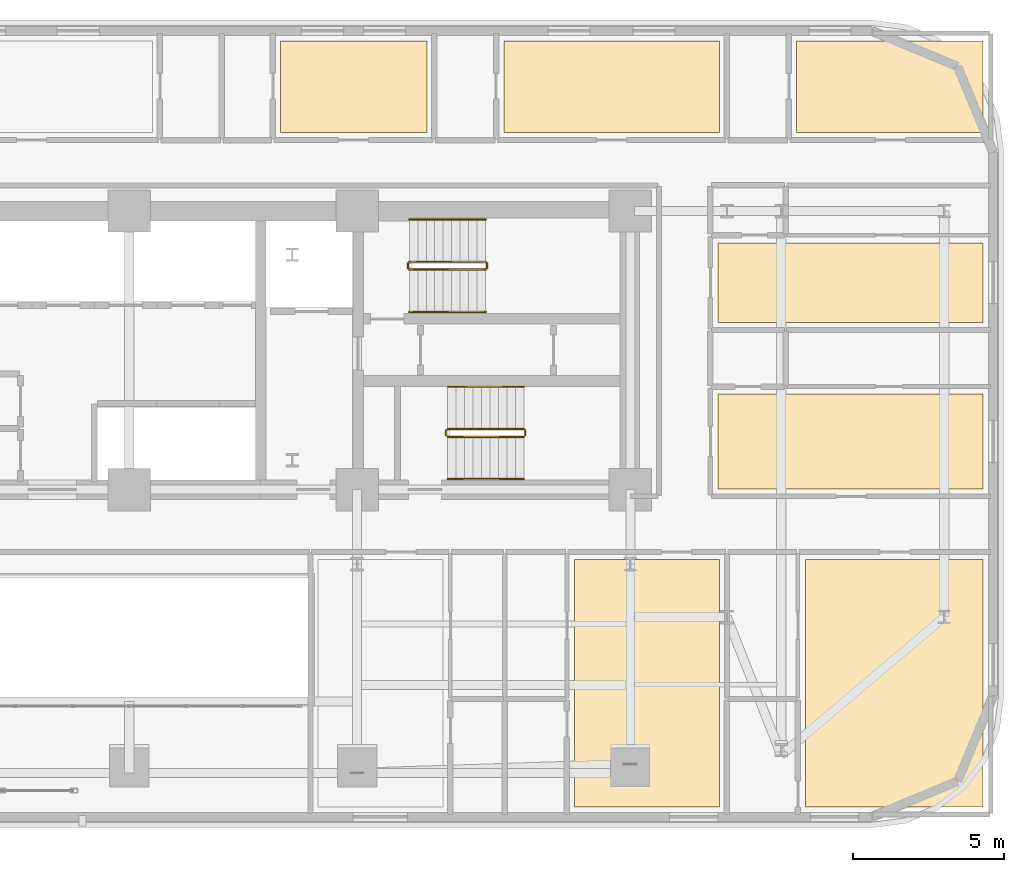
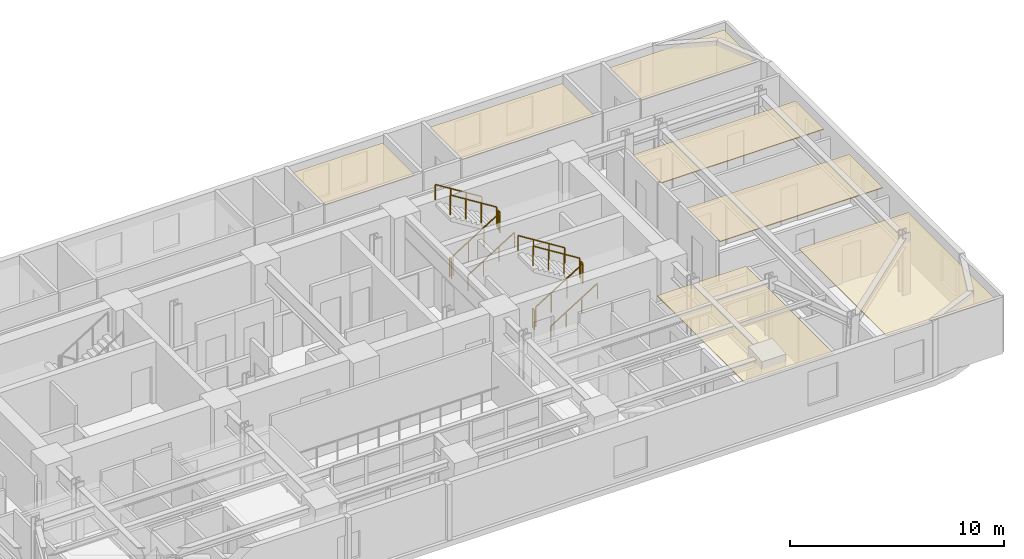
# One storey, part 16 of 16: 12 railings, 7 coverings.
"""IFC4 building model written with IfcOpenShell, lengths in metres."""

from ifc_helpers import new_model, si_unit, direction, frame, origin, origin_2d, place, context, subcontext, project, spatial, polyline, rectangle, outline, extrude, material, layer, layer_set, type_object, element, save


model = new_model("IFC4")

# Units and contexts
model_context = context("Model", 3, precision=1e-05, world=origin(), true_north=direction((0.0, 1.0)))
body_context = subcontext(model_context, "Body", "Model", "MODEL_VIEW")
ifc_project = project(units=[si_unit("LENGTHUNIT", "METRE"), si_unit("AREAUNIT", "SQUARE_METRE"), si_unit("VOLUMEUNIT", "CUBIC_METRE"), si_unit("PLANEANGLEUNIT", "RADIAN"), si_unit("MASSUNIT", "GRAM", prefix="KILO")], contexts=[model_context])

# Site, building, storey
site_placement = place(None, origin())
site = spatial("IfcSite", under=ifc_project, at=site_placement, CompositionType="ELEMENT")
building_placement = place(site_placement, origin())
building = spatial("IfcBuilding", under=site, at=building_placement, Name="Zarnavel Station Tower", CompositionType="ELEMENT")
storey_placement = place(building_placement, frame((0.0, 0.0, 82.800048828125)))
storey = spatial("IfcBuildingStorey", under=building, at=storey_placement, Name="L22", CompositionType="ELEMENT", Elevation=82.800048828125)

# Coverings
ifc_material_1 = material(Name="Perforated Gypsum and Mineral-Wool Acoustic Ceiling", Category="concrete")
ifc_layer = layer(ifc_material_1, 0.0400390625)
ifc_layer_set = layer_set([ifc_layer], Name="COV_CEIL_ACOUSTIC")
covering_type = type_object("IfcCoveringType", Name="COV_CEIL_ACOUSTIC", PredefinedType="CEILING", material=ifc_layer_set)
covering_1_placement = place(storey_placement, frame((0.0, 0.0, 2.919921875)))
element("IfcCovering", 1, at=covering_1_placement, inside=storey, type_object=covering_type, Name="L22 FNE1R Acoustic Ceiling", PredefinedType="CEILING", context=body_context, shape_type="SweptSolid", body=[
    extrude(outline(polyline([(48.300048828125, 27.85009765625), (57.090087890625, 27.85009765625), (57.090087890625, 30.986083984375), (48.300048828125, 30.986083984375), (48.300048828125, 27.85009765625)])), origin(), (0.0, 0.0, 1.0), 0.0400390625),
])
covering_2_placement = place(storey_placement, frame((0.0, 0.0, 2.919921875)))
element("IfcCovering", 2, at=covering_2_placement, inside=storey, type_object=covering_type, Name="L22 FNE2R Acoustic Ceiling", PredefinedType="CEILING", context=body_context, shape_type="SweptSolid", body=[
    extrude(outline(polyline([(48.300048828125, 33.35888671875), (57.090087890625, 33.35888671875), (57.090087890625, 36.0), (48.300048828125, 36.0), (48.300048828125, 33.35888671875)])), origin(), (0.0, 0.0, 1.0), 0.0400390625),
])
covering_3_placement = place(storey_placement, frame((0.0, 0.0, 2.919921875)))
element("IfcCovering", 3, at=covering_3_placement, inside=storey, type_object=covering_type, Name="L22 HN3R Acoustic Ceiling", PredefinedType="CEILING", context=body_context, shape_type="SweptSolid", body=[
    extrude(outline(polyline([(33.804931640625, 39.64990234375), (38.657958984375, 39.64990234375), (38.657958984375, 42.68994140625), (33.804931640625, 42.68994140625), (33.804931640625, 39.64990234375)])), origin(), (0.0, 0.0, 1.0), 0.0400390625),
])
covering_4_placement = place(storey_placement, frame((0.0, 0.0, 2.919921875)))
element("IfcCovering", 4, at=covering_4_placement, inside=storey, type_object=covering_type, Name="L22 HN4R Acoustic Ceiling", PredefinedType="CEILING", context=body_context, shape_type="SweptSolid", body=[
    extrude(outline(polyline([(41.2080078125, 39.64990234375), (48.35009765625, 39.64990234375), (48.35009765625, 42.68994140625), (41.2080078125, 42.68994140625), (41.2080078125, 39.64990234375)])), origin(), (0.0, 0.0, 1.0), 0.0400390625),
])
covering_5_placement = place(storey_placement, frame((0.0, 0.0, 2.919921875)))
element("IfcCovering", 5, at=covering_5_placement, inside=storey, type_object=covering_type, Name="L22 HN5R Acoustic Ceiling", PredefinedType="CEILING", context=body_context, shape_type="SweptSolid", body=[
    extrude(outline(polyline([(50.89990234375, 39.64990234375), (57.090087890625, 39.64990234375), (57.090087890625, 42.68994140625), (50.89990234375, 42.68994140625), (50.89990234375, 39.64990234375)])), origin(), (0.0, 0.0, 1.0), 0.0400390625),
])
covering_6_placement = place(storey_placement, frame((0.0, 0.0, 2.919921875)))
element("IfcCovering", 6, at=covering_6_placement, inside=storey, type_object=covering_type, Name="L22 HE2R Acoustic Ceiling", PredefinedType="CEILING", context=body_context, shape_type="SweptSolid", body=[
    extrude(outline(polyline([(43.551025390625, 17.31005859375), (48.35009765625, 17.31005859375), (48.35009765625, 25.5), (43.551025390625, 25.5), (43.551025390625, 17.31005859375)])), origin(), (0.0, 0.0, 1.0), 0.0400390625),
])
covering_7_placement = place(storey_placement, frame((0.0, 0.0, 2.919921875)))
element("IfcCovering", 7, at=covering_7_placement, inside=storey, type_object=covering_type, Name="L22 HE3R Acoustic Ceiling", PredefinedType="CEILING", context=body_context, shape_type="SweptSolid", body=[
    extrude(outline(polyline([(51.199951171875, 17.31005859375), (57.090087890625, 17.31005859375), (57.090087890625, 25.5), (51.199951171875, 25.5), (51.199951171875, 17.31005859375)])), origin(), (0.0, 0.0, 1.0), 0.0400390625),
])

# Railings
ifc_material_2 = material(Name="Painted Steel S355J2 Balustrade", Category="steel")
railing_type_1 = type_object("IfcRailingType", Name="GR_INT_1150", PredefinedType="GUARDRAIL", material=ifc_material_2)
railing_1_placement = place(storey_placement, frame((38.080078125, 35.110107421875, 0.175048828125)))
element("IfcRailing", 8, at=railing_1_placement, inside=storey, type_object=railing_type_1, Name="L22 ST2 stair guard 1", PredefinedType="GUARDRAIL", context=body_context, shape_type="SweptSolid", body=[
    extrude(rectangle(XDim=0.048095703125, YDim=0.048095703125, at=origin_2d()), frame((0.001708984375, 0.0, 1.126953125), z_axis=(0.848007534815, 0.0, 0.529984170421), x_axis=(0.0, 1.0, 0.0)), (0.0, 0.0, 1.0), 2.9677734375),
    extrude(rectangle(XDim=0.0419921875, YDim=0.0419921875, at=origin_2d()), origin(), (0.0, 0.0, 1.0), 1.101806640625),
    extrude(rectangle(XDim=0.0419921875, YDim=0.0419921875, at=origin_2d()), frame((0.840087890625, 0.0, 0.52490234375)), (0.0, 0.0, 1.0), 1.101806640625),
    extrude(rectangle(XDim=0.0419921875, YDim=0.0419921875, at=origin_2d()), frame((1.679931640625, 0.0, 1.050048828125)), (0.0, 0.0, 1.0), 1.101806640625),
    extrude(rectangle(XDim=0.0419921875, YDim=0.0419921875, at=origin_2d()), frame((2.52001953125, 0.0, 1.574951171875)), (0.0, 0.0, 1.0), 1.101806640625),
])
railing_2_placement = place(storey_placement, frame((40.64990234375, 35.159912109375, 1.75)))
element("IfcRailing", 9, at=railing_2_placement, inside=storey, type_object=railing_type_1, Name="L22 ST2 stair guard 2", PredefinedType="GUARDRAIL", context=body_context, shape_type="SweptSolid", body=[
    extrude(rectangle(XDim=0.048095703125, YDim=0.048095703125, at=origin_2d()), frame((0.0, 0.001953125, 1.1259765625), z_axis=(0.0, 1.0, 0.0), x_axis=(-1.0, 0.0, 0.0)), (0.0, 0.0, 1.0), 0.15625),
    extrude(rectangle(XDim=0.0419921875, YDim=0.0419921875, at=origin_2d()), origin(), (0.0, 0.0, 1.0), 1.101806640625),
    extrude(rectangle(XDim=0.0419921875, YDim=0.0419921875, at=origin_2d()), frame((0.0, 0.16015625, 0.0)), (0.0, 0.0, 1.0), 1.101806640625),
])
railing_3_placement = place(storey_placement, frame((40.60009765625, 35.3701171875, 1.925048828125)))
element("IfcRailing", 10, at=railing_3_placement, inside=storey, type_object=railing_type_1, Name="L22 ST2 stair guard 3", PredefinedType="GUARDRAIL", context=body_context, shape_type="SweptSolid", body=[
    extrude(rectangle(XDim=0.048095703125, YDim=0.048095703125, at=origin_2d()), frame((-0.001708984375, 0.0, 1.126953125), z_axis=(-0.848007534815, 0.0, 0.529984170421), x_axis=(0.0, -1.0, 0.0)), (0.0, 0.0, 1.0), 2.9677734375),
    extrude(rectangle(XDim=0.0419921875, YDim=0.0419921875, at=origin_2d()), origin(), (0.0, 0.0, 1.0), 1.101806640625),
    extrude(rectangle(XDim=0.0419921875, YDim=0.0419921875, at=origin_2d()), frame((-0.840087890625, 0.0, 0.52490234375)), (0.0, 0.0, 1.0), 1.101806640625),
    extrude(rectangle(XDim=0.0419921875, YDim=0.0419921875, at=origin_2d()), frame((-1.679931640625, 0.0, 1.050048828125)), (0.0, 0.0, 1.0), 1.101806640625),
    extrude(rectangle(XDim=0.0419921875, YDim=0.0419921875, at=origin_2d()), frame((-2.52001953125, 0.0, 1.574951171875)), (0.0, 0.0, 1.0), 1.101806640625),
])
railing_4_placement = place(storey_placement, frame((38.030029296875, 35.159912109375, 0.0)))
element("IfcRailing", 11, at=railing_4_placement, inside=storey, type_object=railing_type_1, Name="L22 ST2 stair guard 4", PredefinedType="GUARDRAIL", context=body_context, shape_type="SweptSolid", body=[
    extrude(rectangle(XDim=0.048095703125, YDim=0.048095703125, at=origin_2d()), frame((0.0, 0.001953125, 1.1259765625), z_axis=(0.0, 1.0, 0.0), x_axis=(-1.0, 0.0, 0.0)), (0.0, 0.0, 1.0), 0.15625),
    extrude(rectangle(XDim=0.0419921875, YDim=0.0419921875, at=origin_2d()), origin(), (0.0, 0.0, 1.0), 1.101806640625),
    extrude(rectangle(XDim=0.0419921875, YDim=0.0419921875, at=origin_2d()), frame((0.0, 0.16015625, 0.0)), (0.0, 0.0, 1.0), 1.101806640625),
])
railing_5_placement = place(storey_placement, frame((39.35009765625, 29.570068359375, 0.175048828125)))
element("IfcRailing", 12, at=railing_5_placement, inside=storey, type_object=railing_type_1, Name="L22 ST3 stair guard 1", PredefinedType="GUARDRAIL", context=body_context, shape_type="SweptSolid", body=[
    extrude(rectangle(XDim=0.048095703125, YDim=0.048095703125, at=origin_2d()), frame((0.001708984375, 0.0, 1.126953125), z_axis=(0.848007534815, 0.0, 0.529984170421), x_axis=(0.0, 1.0, 0.0)), (0.0, 0.0, 1.0), 2.9677734375),
    extrude(rectangle(XDim=0.0419921875, YDim=0.0419921875, at=origin_2d()), origin(), (0.0, 0.0, 1.0), 1.101806640625),
    extrude(rectangle(XDim=0.0419921875, YDim=0.0419921875, at=origin_2d()), frame((0.840087890625, 0.0, 0.52490234375)), (0.0, 0.0, 1.0), 1.101806640625),
    extrude(rectangle(XDim=0.0419921875, YDim=0.0419921875, at=origin_2d()), frame((1.679931640625, 0.0, 1.050048828125)), (0.0, 0.0, 1.0), 1.101806640625),
    extrude(rectangle(XDim=0.0419921875, YDim=0.0419921875, at=origin_2d()), frame((2.52001953125, 0.0, 1.574951171875)), (0.0, 0.0, 1.0), 1.101806640625),
])
railing_6_placement = place(storey_placement, frame((41.919921875, 29.6201171875, 1.75)))
element("IfcRailing", 13, at=railing_6_placement, inside=storey, type_object=railing_type_1, Name="L22 ST3 stair guard 2", PredefinedType="GUARDRAIL", context=body_context, shape_type="SweptSolid", body=[
    extrude(rectangle(XDim=0.048095703125, YDim=0.048095703125, at=origin_2d()), frame((0.0, 0.001953125, 1.1259765625), z_axis=(0.0, 1.0, 0.0), x_axis=(-1.0, 0.0, 0.0)), (0.0, 0.0, 1.0), 0.156005859375),
    extrude(rectangle(XDim=0.0419921875, YDim=0.0419921875, at=origin_2d()), origin(), (0.0, 0.0, 1.0), 1.101806640625),
    extrude(rectangle(XDim=0.0419921875, YDim=0.0419921875, at=origin_2d()), frame((0.0, 0.159912109375, 0.0)), (0.0, 0.0, 1.0), 1.101806640625),
])
railing_7_placement = place(storey_placement, frame((41.8701171875, 29.830078125, 1.925048828125)))
element("IfcRailing", 14, at=railing_7_placement, inside=storey, type_object=railing_type_1, Name="L22 ST3 stair guard 3", PredefinedType="GUARDRAIL", context=body_context, shape_type="SweptSolid", body=[
    extrude(rectangle(XDim=0.048095703125, YDim=0.048095703125, at=origin_2d()), frame((-0.001708984375, 0.0, 1.126953125), z_axis=(-0.848007534815, 0.0, 0.529984170421), x_axis=(0.0, -1.0, 0.0)), (0.0, 0.0, 1.0), 2.9677734375),
    extrude(rectangle(XDim=0.0419921875, YDim=0.0419921875, at=origin_2d()), origin(), (0.0, 0.0, 1.0), 1.101806640625),
    extrude(rectangle(XDim=0.0419921875, YDim=0.0419921875, at=origin_2d()), frame((-0.840087890625, 0.0, 0.52490234375)), (0.0, 0.0, 1.0), 1.101806640625),
    extrude(rectangle(XDim=0.0419921875, YDim=0.0419921875, at=origin_2d()), frame((-1.679931640625, 0.0, 1.050048828125)), (0.0, 0.0, 1.0), 1.101806640625),
    extrude(rectangle(XDim=0.0419921875, YDim=0.0419921875, at=origin_2d()), frame((-2.52001953125, 0.0, 1.574951171875)), (0.0, 0.0, 1.0), 1.101806640625),
])
railing_8_placement = place(storey_placement, frame((39.300048828125, 29.6201171875, 0.0)))
element("IfcRailing", 15, at=railing_8_placement, inside=storey, type_object=railing_type_1, Name="L22 ST3 stair guard 4", PredefinedType="GUARDRAIL", context=body_context, shape_type="SweptSolid", body=[
    extrude(rectangle(XDim=0.048095703125, YDim=0.048095703125, at=origin_2d()), frame((0.0, 0.001953125, 1.1259765625), z_axis=(0.0, 1.0, 0.0), x_axis=(-1.0, 0.0, 0.0)), (0.0, 0.0, 1.0), 0.156005859375),
    extrude(rectangle(XDim=0.0419921875, YDim=0.0419921875, at=origin_2d()), origin(), (0.0, 0.0, 1.0), 1.101806640625),
    extrude(rectangle(XDim=0.0419921875, YDim=0.0419921875, at=origin_2d()), frame((0.0, 0.159912109375, 0.0)), (0.0, 0.0, 1.0), 1.101806640625),
])
ifc_material_3 = material(Name="Brushed Stainless Steel S355J2 Handrail", Category="steel")
railing_type_2 = type_object("IfcRailingType", Name="HR_STAIR_900", PredefinedType="HANDRAIL", material=ifc_material_3)
railing_9_placement = place(storey_placement, frame((38.080078125, 33.7099609375, 0.175048828125)))
element("IfcRailing", 16, at=railing_9_placement, inside=storey, type_object=railing_type_2, Name="L22 ST2 stair handrail 1", PredefinedType="HANDRAIL", context=body_context, shape_type="SweptSolid", body=[
    extrude(rectangle(XDim=0.048095703125, YDim=0.048095703125, at=origin_2d()), frame((0.001708984375, 0.0, 0.876953125), z_axis=(0.848007534815, 0.0, 0.529984170421), x_axis=(0.0, 1.0, 0.0)), (0.0, 0.0, 1.0), 2.9677734375),
    extrude(rectangle(XDim=0.0419921875, YDim=0.0419921875, at=origin_2d()), origin(), (0.0, 0.0, 1.0), 0.851806640625),
    extrude(rectangle(XDim=0.0419921875, YDim=0.0419921875, at=origin_2d()), frame((0.840087890625, 0.0, 0.52490234375)), (0.0, 0.0, 1.0), 0.851806640625),
    extrude(rectangle(XDim=0.0419921875, YDim=0.0419921875, at=origin_2d()), frame((1.679931640625, 0.0, 1.050048828125)), (0.0, 0.0, 1.0), 0.851806640625),
    extrude(rectangle(XDim=0.0419921875, YDim=0.0419921875, at=origin_2d()), frame((2.52001953125, 0.0, 1.574951171875)), (0.0, 0.0, 1.0), 0.851806640625),
])
railing_10_placement = place(storey_placement, frame((40.60009765625, 36.77001953125, 1.925048828125)))
element("IfcRailing", 17, at=railing_10_placement, inside=storey, type_object=railing_type_2, Name="L22 ST2 stair handrail 2", PredefinedType="HANDRAIL", context=body_context, shape_type="SweptSolid", body=[
    extrude(rectangle(XDim=0.048095703125, YDim=0.048095703125, at=origin_2d()), frame((-0.001708984375, 0.0, 0.876953125), z_axis=(-0.848007534815, 0.0, 0.529984170421), x_axis=(0.0, -1.0, 0.0)), (0.0, 0.0, 1.0), 2.9677734375),
    extrude(rectangle(XDim=0.0419921875, YDim=0.0419921875, at=origin_2d()), origin(), (0.0, 0.0, 1.0), 0.851806640625),
    extrude(rectangle(XDim=0.0419921875, YDim=0.0419921875, at=origin_2d()), frame((-0.840087890625, 0.0, 0.52490234375)), (0.0, 0.0, 1.0), 0.851806640625),
    extrude(rectangle(XDim=0.0419921875, YDim=0.0419921875, at=origin_2d()), frame((-1.679931640625, 0.0, 1.050048828125)), (0.0, 0.0, 1.0), 0.851806640625),
    extrude(rectangle(XDim=0.0419921875, YDim=0.0419921875, at=origin_2d()), frame((-2.52001953125, 0.0, 1.574951171875)), (0.0, 0.0, 1.0), 0.851806640625),
])
railing_11_placement = place(storey_placement, frame((39.35009765625, 28.169921875, 0.175048828125)))
element("IfcRailing", 18, at=railing_11_placement, inside=storey, type_object=railing_type_2, Name="L22 ST3 stair handrail 1", PredefinedType="HANDRAIL", context=body_context, shape_type="SweptSolid", body=[
    extrude(rectangle(XDim=0.048095703125, YDim=0.048095703125, at=origin_2d()), frame((0.001708984375, 0.0, 0.876953125), z_axis=(0.848007534815, 0.0, 0.529984170421), x_axis=(0.0, 1.0, 0.0)), (0.0, 0.0, 1.0), 2.9677734375),
    extrude(rectangle(XDim=0.0419921875, YDim=0.0419921875, at=origin_2d()), origin(), (0.0, 0.0, 1.0), 0.851806640625),
    extrude(rectangle(XDim=0.0419921875, YDim=0.0419921875, at=origin_2d()), frame((0.840087890625, 0.0, 0.52490234375)), (0.0, 0.0, 1.0), 0.851806640625),
    extrude(rectangle(XDim=0.0419921875, YDim=0.0419921875, at=origin_2d()), frame((1.679931640625, 0.0, 1.050048828125)), (0.0, 0.0, 1.0), 0.851806640625),
    extrude(rectangle(XDim=0.0419921875, YDim=0.0419921875, at=origin_2d()), frame((2.52001953125, 0.0, 1.574951171875)), (0.0, 0.0, 1.0), 0.851806640625),
])
railing_12_placement = place(storey_placement, frame((41.8701171875, 31.22998046875, 1.925048828125)))
element("IfcRailing", 19, at=railing_12_placement, inside=storey, type_object=railing_type_2, Name="L22 ST3 stair handrail 2", PredefinedType="HANDRAIL", context=body_context, shape_type="SweptSolid", body=[
    extrude(rectangle(XDim=0.048095703125, YDim=0.048095703125, at=origin_2d()), frame((-0.001708984375, 0.0, 0.876953125), z_axis=(-0.848007534815, 0.0, 0.529984170421), x_axis=(0.0, -1.0, 0.0)), (0.0, 0.0, 1.0), 2.9677734375),
    extrude(rectangle(XDim=0.0419921875, YDim=0.0419921875, at=origin_2d()), origin(), (0.0, 0.0, 1.0), 0.851806640625),
    extrude(rectangle(XDim=0.0419921875, YDim=0.0419921875, at=origin_2d()), frame((-0.840087890625, 0.0, 0.52490234375)), (0.0, 0.0, 1.0), 0.851806640625),
    extrude(rectangle(XDim=0.0419921875, YDim=0.0419921875, at=origin_2d()), frame((-1.679931640625, 0.0, 1.050048828125)), (0.0, 0.0, 1.0), 0.851806640625),
    extrude(rectangle(XDim=0.0419921875, YDim=0.0419921875, at=origin_2d()), frame((-2.52001953125, 0.0, 1.574951171875)), (0.0, 0.0, 1.0), 0.851806640625),
])

save(model, "model.ifc")
